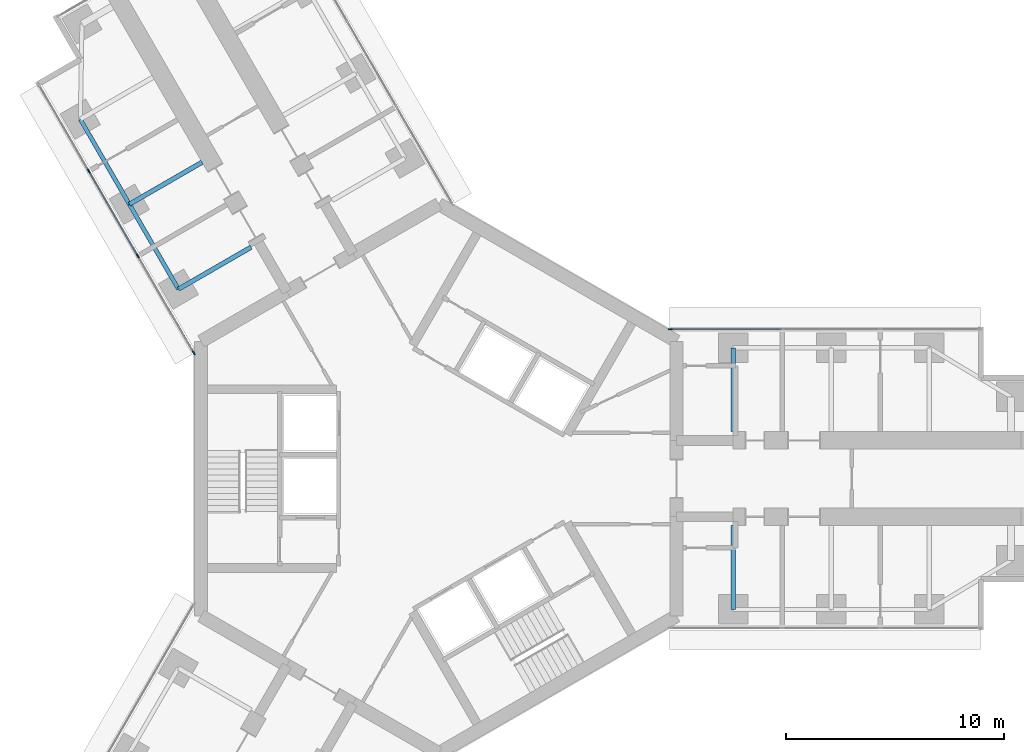
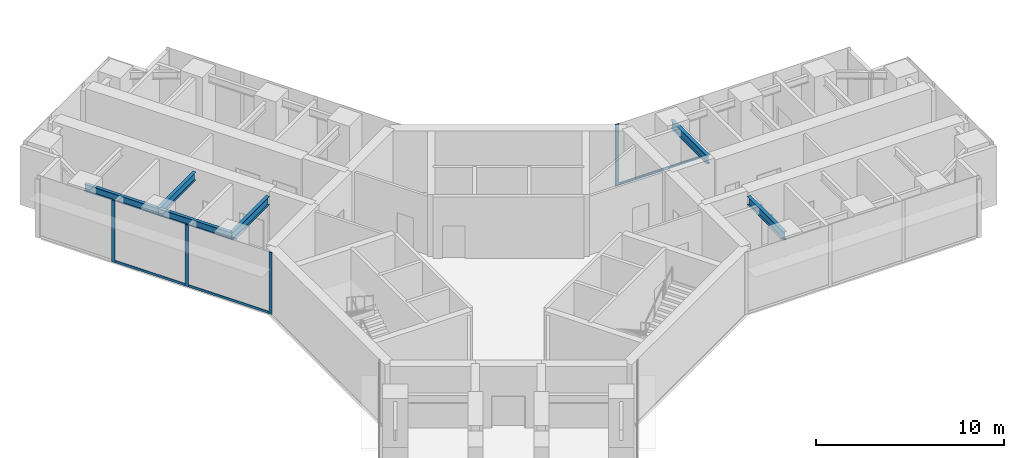
# One storey, part 5 of 21: 7 members, 6 beams, 2 elements without a shape of their own.
"""IFC4 building model written with IfcOpenShell, lengths in metres."""

from ifc_helpers import new_model, si_unit, direction, frame, origin, origin_2d, place, context, subcontext, project, spatial, rectangle, i_section, extrude, material, material_profile, profile_set, type_object, element, aggregate, save


model = new_model("IFC4")

# Units and contexts
model_context = context("Model", 3, precision=1e-05, world=origin(), true_north=direction((0.0, 1.0)))
body_context = subcontext(model_context, "Body", "Model", "MODEL_VIEW")
ifc_project = project(units=[si_unit("LENGTHUNIT", "METRE"), si_unit("AREAUNIT", "SQUARE_METRE"), si_unit("VOLUMEUNIT", "CUBIC_METRE"), si_unit("PLANEANGLEUNIT", "RADIAN"), si_unit("MASSUNIT", "GRAM", prefix="KILO")], contexts=[model_context])

# Site, building, storey
site_placement = place(None, origin())
site = spatial("IfcSite", under=ifc_project, at=site_placement, CompositionType="ELEMENT")
building_placement = place(site_placement, origin())
building = spatial("IfcBuilding", under=site, at=building_placement, Name="Upepo Twin Towers", CompositionType="ELEMENT")
storey_placement = place(building_placement, frame((0.0, 0.0, 117.5)))
storey = spatial("IfcBuildingStorey", under=building, at=storey_placement, Name="L28", CompositionType="ELEMENT", Elevation=117.5)

# Beams
ifc_material_1 = material(Name="Steel S355", Category="steel")
ifc_material_profile_1 = material_profile(ifc_material_1, i_section(OverallWidth=0.1904296875, OverallDepth=0.45703125, WebThickness=0.009033203125, FlangeThickness=0.014404296875, FilletRadius=0.01025390625, at=origin_2d()), Name="UB 457x191x74")
ifc_profile_set_1 = profile_set([ifc_material_profile_1], Name="Steel S355")
beam_type_1 = type_object("IfcBeamType", Name="Beam UB 457x191x74", PredefinedType="BEAM", material=ifc_profile_set_1)
beam_1_placement = place(storey_placement, frame((-11.946044921875, 8.69140625, 3.571533203125), z_axis=(-0.500013631625, 0.866017533419, 0.0), x_axis=(-0.866017533419, -0.500013631625, 0.0)))
element("IfcBeam", 1, at=beam_1_placement, inside=storey, type_object=beam_type_1, Name="T1 edge beam BL 13.5-18.0", PredefinedType="BEAM", context=body_context, shape_type="SweptSolid", body=[
    extrude(i_section(OverallWidth=0.1904296875, OverallDepth=0.45703125, WebThickness=0.009033203125, FlangeThickness=0.014404296875, FilletRadius=0.01025390625, at=origin_2d()), origin(), (0.0, 0.0, 1.0), 4.499755859375),
])
beam_2_placement = place(storey_placement, frame((-14.196044921875, 12.58837890625, 3.571533203125), z_axis=(-0.499990139034, 0.866031096941, 0.0), x_axis=(-0.866031096941, -0.499990139034, 0.0)))
element("IfcBeam", 2, at=beam_2_placement, inside=storey, type_object=beam_type_1, Name="T1 edge beam BL 18.0-22.5", PredefinedType="BEAM", context=body_context, shape_type="SweptSolid", body=[
    extrude(i_section(OverallWidth=0.1904296875, OverallDepth=0.45703125, WebThickness=0.009033203125, FlangeThickness=0.014404296875, FilletRadius=0.01025390625, at=origin_2d()), origin(), (0.0, 0.0, 1.0), 4.5),
])
ifc_material_2 = material(Name="Steel S355", Category="steel")
ifc_material_profile_2 = material_profile(ifc_material_2, i_section(OverallWidth=0.209228515625, OverallDepth=0.533203125, WebThickness=0.010009765625, FlangeThickness=0.015625, FilletRadius=0.0126953125, at=origin_2d()), Name="UB 533x210x92")
ifc_profile_set_2 = profile_set([ifc_material_profile_2], Name="Steel S355")
beam_type_2 = type_object("IfcBeamType", Name="Beam UB 533x210x92", PredefinedType="BEAM", material=ifc_profile_set_2)
for number, where, z_axis, x_axis, name in (
    (3, (13.5, 6.0, 3.533447265625), (0.0, -1.0, 0.0), (1.0, 0.0, 0.0), "T1 girder AL at 13.5"),
    (4, (13.5, -6.0, 3.533447265625), (0.0, 1.0, 0.0), (-1.0, 0.0, 0.0), "T1 girder AR at 13.5"),
):
    element("IfcBeam", number, at=place(storey_placement, frame(where, z_axis=z_axis, x_axis=x_axis)), inside=storey, type_object=beam_type_2, Name=name, PredefinedType="BEAM", context=body_context, shape_type="SweptSolid", body=[
        extrude(i_section(OverallWidth=0.209228515625, OverallDepth=0.533203125, WebThickness=0.010009765625, FlangeThickness=0.015625, FilletRadius=0.0126953125, at=origin_2d()), origin(), (0.0, 0.0, 1.0), 3.85009765625),
    ])
for number, where, z_axis, x_axis, name in (
    (5, (-11.946044921875, 8.69140625, 3.533447265625), (0.866006051527, 0.500033517596, 0.0), (-0.500033517596, 0.866006051527, 0.0), "T1 girder BL at 13.5"),
    (6, (-14.196044921875, 12.58837890625, 3.533447265625), (0.866006051527, 0.500033517596, 0.0), (-0.500033517596, 0.866006051527, 0.0), "T1 girder BL at 18.0"),
):
    element("IfcBeam", number, at=place(storey_placement, frame(where, z_axis=z_axis, x_axis=x_axis)), inside=storey, type_object=beam_type_2, Name=name, PredefinedType="BEAM", context=body_context, shape_type="SweptSolid", body=[
        extrude(i_section(OverallWidth=0.209228515625, OverallDepth=0.533203125, WebThickness=0.010009765625, FlangeThickness=0.015625, FilletRadius=0.0126953125, at=origin_2d()), origin(), (0.0, 0.0, 1.0), 3.849853515625),
    ])

# Curtain wall, member
ifc_material_3 = material(Name="Aluminium and fritted glass", Category="aluminium")
curtain_wall_type = type_object("IfcCurtainWallType", Name="Tower curtain wall TW2, fritted glass", PredefinedType="NOTDEFINED", material=ifc_material_3)
curtain_wall_1_placement = place(storey_placement, origin())
curtain_wall_1 = element("IfcCurtainWall", 7, at=curtain_wall_1_placement, inside=storey, type_object=curtain_wall_type, Name="T1 L28 wing A flank L curtain wall", PredefinedType="NOTDEFINED")
ifc_material_4 = material(Name="Aluminium mullion", Category="aluminium")
ifc_material_profile_3 = material_profile(ifc_material_4, rectangle(XDim=0.06494140625, YDim=0.199951171875, at=origin_2d()), Name="MULLION 65x200")
ifc_profile_set_3 = profile_set([ifc_material_profile_3], Name="Aluminium mullion")
member_type_1 = type_object("IfcMemberType", Name="Mullion 65x200 TW2", PredefinedType="MULLION", material=ifc_profile_set_3)
member_1_placement = place(storey_placement, frame((10.61962890625, 6.85009765625, 0.0), z_axis=(0.0, 0.0, 1.0), x_axis=(0.0, 1.0, 0.0)))
member_1 = element("IfcMember", 8, at=member_1_placement, type_object=member_type_1, Name="T1 L28 wing A flank L curtain wall mullion 1", PredefinedType="MULLION", context=body_context, shape_type="SweptSolid", body=[
    extrude(rectangle(XDim=0.06494140625, YDim=0.199951171875, at=origin_2d()), origin(), (0.0, 0.0, 1.0), 4.0),
])

# Curtain wall, members
curtain_wall_2_placement = place(storey_placement, origin())
curtain_wall_2 = element("IfcCurtainWall", 9, at=curtain_wall_2_placement, inside=storey, type_object=curtain_wall_type, Name="T1 L28 wing B flank L curtain wall", PredefinedType="NOTDEFINED")
member_2_placement = place(storey_placement, frame((-11.2421875, 5.77197265625, 0.0), z_axis=(0.0, 0.0, 1.0), x_axis=(-0.866025397833, -0.500000010308, 0.0)))
member_2 = element("IfcMember", 10, at=member_2_placement, type_object=member_type_1, Name="T1 L28 wing B flank L curtain wall mullion 1", PredefinedType="MULLION", context=body_context, shape_type="SweptSolid", body=[
    extrude(rectangle(XDim=0.06494140625, YDim=0.199951171875, at=origin_2d()), origin(), (0.0, 0.0, 1.0), 4.0),
])
member_3_placement = place(storey_placement, frame((-13.807373046875, 10.21484375, 0.0), z_axis=(0.0, 0.0, 1.0), x_axis=(-0.866025397833, -0.500000010308, 0.0)))
member_3 = element("IfcMember", 11, at=member_3_placement, type_object=member_type_1, Name="T1 L28 wing B flank L curtain wall mullion 2", PredefinedType="MULLION", context=body_context, shape_type="SweptSolid", body=[
    extrude(rectangle(XDim=0.06494140625, YDim=0.199951171875, at=origin_2d()), origin(), (0.0, 0.0, 1.0), 4.0),
])
member_4_placement = place(storey_placement, frame((-16.057373046875, 14.112060546875, 0.0), z_axis=(0.0, 0.0, 1.0), x_axis=(-0.866025397833, -0.500000010308, 0.0)))
member_4 = element("IfcMember", 12, at=member_4_placement, type_object=member_type_1, Name="T1 L28 wing B flank L curtain wall mullion 3", PredefinedType="MULLION", context=body_context, shape_type="SweptSolid", body=[
    extrude(rectangle(XDim=0.06494140625, YDim=0.199951171875, at=origin_2d()), origin(), (0.0, 0.0, 1.0), 4.0),
])

# Member
ifc_material_5 = material(Name="Aluminium transom", Category="aluminium")
ifc_material_profile_4 = material_profile(ifc_material_5, rectangle(XDim=0.06494140625, YDim=0.14990234375, at=origin_2d()), Name="TRANSOM 65x150")
ifc_profile_set_4 = profile_set([ifc_material_profile_4], Name="Aluminium transom")
member_type_2 = type_object("IfcMemberType", Name="Transom 65x150 TW2", PredefinedType="USERDEFINED", material=ifc_profile_set_4)
member_5_placement = place(storey_placement, frame((10.652099609375, 6.85009765625, 0.074951171875), z_axis=(1.0, 0.0, 0.0), x_axis=(0.0, 1.0, 0.0)))
member_5 = element("IfcMember", 13, at=member_5_placement, type_object=member_type_2, Name="T1 L28 wing A flank L curtain wall transom 1", ObjectType="TRANSOM", PredefinedType="USERDEFINED", context=body_context, shape_type="SweptSolid", body=[
    extrude(rectangle(XDim=0.06494140625, YDim=0.14990234375, at=origin_2d()), origin(), (0.0, 0.0, 1.0), 5.0654296875),
])

aggregate(curtain_wall_1, [member_1, member_5])

member_6_placement = place(storey_placement, frame((-11.25830078125, 5.800048828125, 0.074951171875), z_axis=(-0.500006158363, 0.866021848223, 0.0), x_axis=(-0.866021848223, -0.500006158363, 0.0)))
member_6 = element("IfcMember", 14, at=member_6_placement, type_object=member_type_2, Name="T1 L28 wing B flank L curtain wall transom 1", ObjectType="TRANSOM", PredefinedType="USERDEFINED", context=body_context, shape_type="SweptSolid", body=[
    extrude(rectangle(XDim=0.06494140625, YDim=0.14990234375, at=origin_2d()), origin(), (0.0, 0.0, 1.0), 5.0654296875),
])

member_7_placement = place(storey_placement, frame((-13.823486328125, 10.2431640625, 0.074951171875), z_axis=(-0.500005184116, 0.866022410713, 0.0), x_axis=(-0.866022410713, -0.500005184116, 0.0)))
member_7 = element("IfcMember", 15, at=member_7_placement, type_object=member_type_2, Name="T1 L28 wing B flank L curtain wall transom 2", ObjectType="TRANSOM", PredefinedType="USERDEFINED", context=body_context, shape_type="SweptSolid", body=[
    extrude(rectangle(XDim=0.06494140625, YDim=0.14990234375, at=origin_2d()), origin(), (0.0, 0.0, 1.0), 4.43505859375),
])

aggregate(curtain_wall_2, [member_2, member_3, member_4, member_6, member_7])

save(model, "model.ifc")
